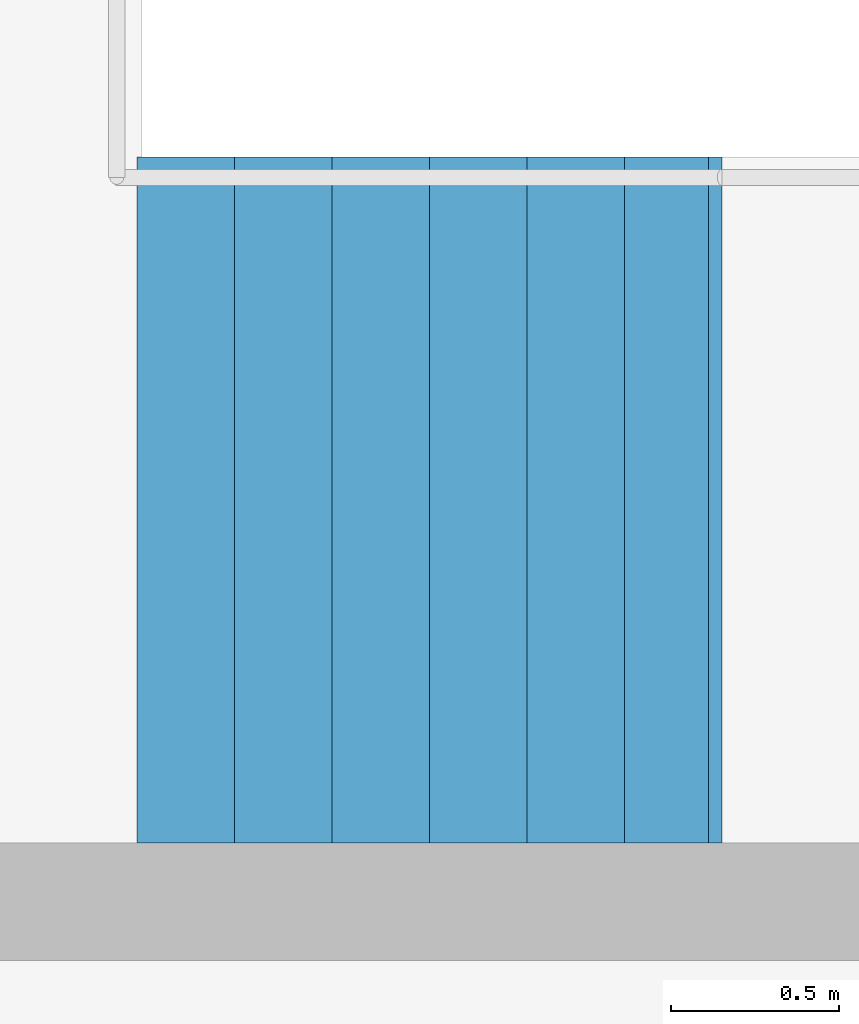
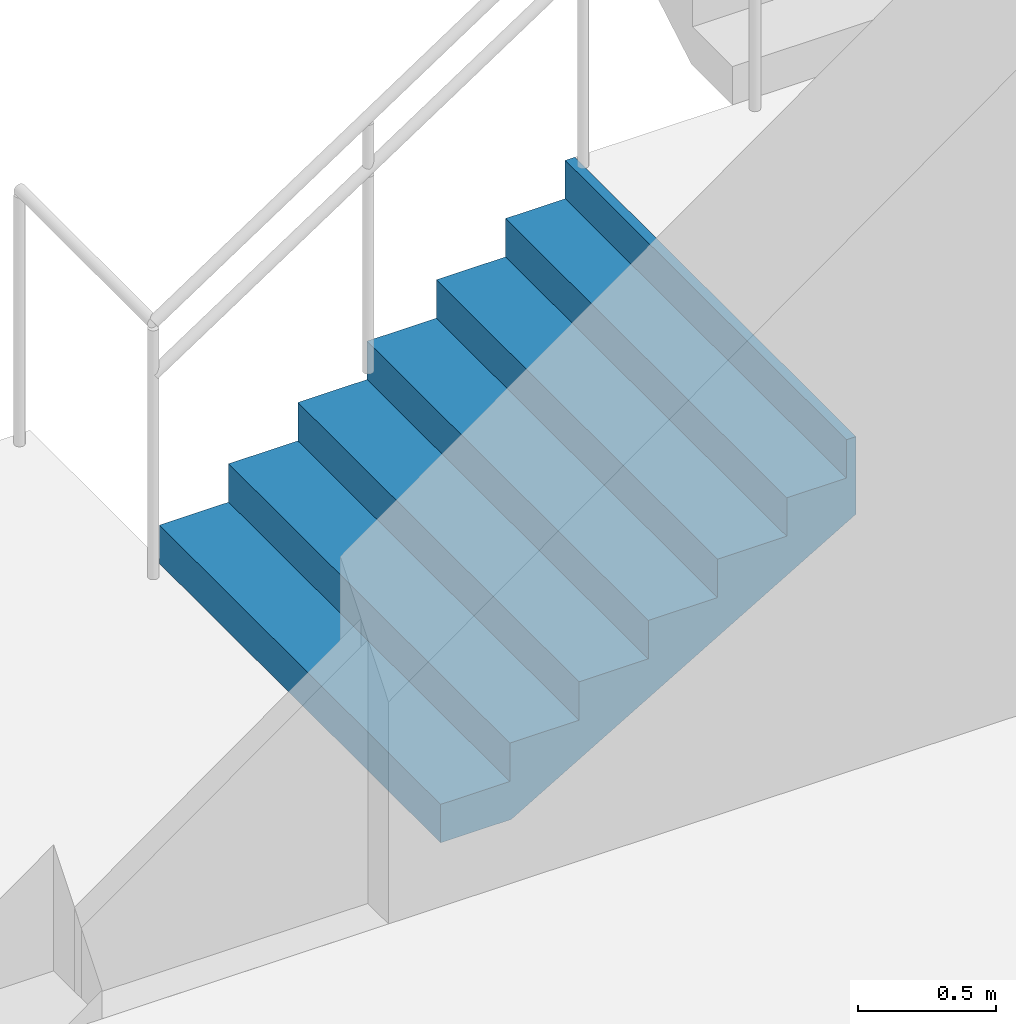
# One storey, part 60 of 69: 1 stair flight, 1 element without a shape of its own.
"""IFC4 building model written with IfcOpenShell, lengths in metres."""

from ifc_helpers import new_model, si_unit, direction, frame, origin, place, context, subcontext, project, spatial, triangles, material, type_object, element, aggregate, save


model = new_model("IFC4")

# Units and contexts
model_context = context("Model", 3, precision=1e-05, world=origin(), true_north=direction((0.0, 1.0)))
body_context = subcontext(model_context, "Body", "Model", "MODEL_VIEW")
ifc_project = project(units=[si_unit("LENGTHUNIT", "METRE"), si_unit("AREAUNIT", "SQUARE_METRE"), si_unit("VOLUMEUNIT", "CUBIC_METRE"), si_unit("PLANEANGLEUNIT", "RADIAN"), si_unit("MASSUNIT", "GRAM", prefix="KILO")], contexts=[model_context])

# Site, building, storey
site_placement = place(None, origin())
site = spatial("IfcSite", under=ifc_project, at=site_placement, CompositionType="ELEMENT")
building_placement = place(site_placement, origin())
building = spatial("IfcBuilding", under=site, at=building_placement, Name="Sillaruma Civic Art Gallery", CompositionType="ELEMENT")
storey_placement = place(building_placement, frame((0.0, 0.0, 42.330078125)))
storey = spatial("IfcBuildingStorey", under=building, at=storey_placement, Name="L08", CompositionType="ELEMENT", Elevation=42.330078125)

# Stair, stair flight
ifc_material = material(Name="Concrete H35 (35 MPa)", Category="concrete")
stair_type = type_object("IfcStairType", Name="STR-4F-27", PredefinedType="USERDEFINED", material=ifc_material)
stair_placement = place(storey_placement, origin())
stair = element("IfcStair", 1, at=stair_placement, inside=storey, type_object=stair_type, Name="Protected Exit Stair ST-02 (West Bar North) (L08)", ObjectType="THREE_RETURN_STAIR", PredefinedType="USERDEFINED")
stair_flight_type = type_object("IfcStairFlightType", Name="SFL-STR-7", PredefinedType="STRAIGHT", material=ifc_material)
stair_flight_placement = place(storey_placement, frame((64.800048828125, 81.929931640625, 0.0), z_axis=(0.0, 0.0, 1.0), x_axis=(1.0, 0.0, 0.0)))
stair_flight = element("IfcStairFlight", 2, at=stair_flight_placement, type_object=stair_flight_type, Name="ST-02 flight 1", NumberOfRisers=7, NumberOfTreads=6, PredefinedType="STRAIGHT", RiserHeight=0.17, TreadLength=0.29, context=body_context, shape_type="Tessellation", body=[
    triangles([(0.0, -1.02001953125, 0.0), (0.29, -1.02001953125, 0.0), (0.296404, -1.02001953125, 0.0), (0.58, -1.02001953125, 0.166246), (0.87, -1.02001953125, 0.336246), (1.16, -1.02001953125, 0.506246), (1.45, -1.02001953125, 0.676246), (1.69999, -1.02001953125, 0.822792), (1.73999, -1.02001953125, 0.84624), (1.73999, -1.02001953125, 1.19), (1.69999, -1.02001953125, 1.19), (1.69999, -1.02001953125, 1.02), (1.45, -1.02001953125, 1.02), (1.45, -1.02001953125, 0.85), (1.16, -1.02001953125, 0.85), (1.16, -1.02001953125, 0.68), (0.87, -1.02001953125, 0.68), (0.87, -1.02001953125, 0.51), (0.58, -1.02001953125, 0.51), (0.58, -1.02001953125, 0.34), (0.296404, -1.02001953125, 0.34), (0.29, -1.02001953125, 0.34), (0.29, -1.02001953125, 0.17), (0.0, -1.02001953125, 0.17), (0.0, -0.05, 0.0), (0.29, -0.05, 0.0), (0.296404, -0.05, 0.0), (0.58, -0.05, 0.166246), (0.87, -0.05, 0.336246), (1.16, -0.05, 0.506246), (1.45, -0.05, 0.676246), (1.69999, -0.05, 0.822792), (1.73999, -0.05, 0.84624), (1.73999, -0.05, 1.19), (1.69999, -0.05, 1.19), (1.69999, -0.05, 1.02), (1.45, -0.05, 1.02), (1.45, -0.05, 0.85), (1.16, -0.05, 0.85), (1.16, -0.05, 0.68), (0.87, -0.05, 0.68), (0.87, -0.05, 0.51), (0.58, -0.05, 0.51), (0.58, -0.05, 0.34), (0.296404, -0.05, 0.34), (0.29, -0.05, 0.34), (0.29, -0.05, 0.17), (0.0, -0.05, 0.17), (0.0, -0.0375, 0.0), (0.29, -0.0375, 0.0), (0.296404, -0.0375, 0.0), (0.58, -0.0375, 0.166246), (0.87, -0.0375, 0.336246), (1.16, -0.0375, 0.506246), (1.45, -0.0375, 0.676246), (1.69999, -0.0375, 0.822792), (1.73999, -0.0375, 0.84624), (1.73999, -0.0375, 1.19), (1.69999, -0.0375, 1.19), (1.69999, -0.0375, 1.02), (1.45, -0.0375, 1.02), (1.45, -0.0375, 0.85), (1.16, -0.0375, 0.85), (1.16, -0.0375, 0.68), (0.87, -0.0375, 0.68), (0.87, -0.0375, 0.51), (0.58, -0.0375, 0.51), (0.58, -0.0375, 0.34), (0.296404, -0.0375, 0.34), (0.29, -0.0375, 0.34), (0.29, -0.0375, 0.17), (0.0, -0.0375, 0.17), (0.0, -0.025, 0.0), (0.29, -0.025, 0.0), (0.296404, -0.025, 0.0), (0.58, -0.025, 0.166246), (0.87, -0.025, 0.336246), (1.16, -0.025, 0.506246), (1.45, -0.025, 0.676246), (1.69999, -0.025, 0.822792), (1.73999, -0.025, 0.84624), (1.73999, -0.025, 1.19), (1.69999, -0.025, 1.19), (1.69999, -0.025, 1.02), (1.45, -0.025, 1.02), (1.45, -0.025, 0.85), (1.16, -0.025, 0.85), (1.16, -0.025, 0.68), (0.87, -0.025, 0.68), (0.87, -0.025, 0.51), (0.58, -0.025, 0.51), (0.58, -0.025, 0.34), (0.296404, -0.025, 0.34), (0.29, -0.025, 0.34), (0.29, -0.025, 0.17), (0.0, -0.025, 0.17), (0.0, -0.0125, 0.0), (0.29, -0.0125, 0.0), (0.296404, -0.0125, 0.0), (0.58, -0.0125, 0.166246), (0.87, -0.0125, 0.336246), (1.16, -0.0125, 0.506246), (1.45, -0.0125, 0.676246), (1.69999, -0.0125, 0.822792), (1.73999, -0.0125, 0.84624), (1.73999, -0.0125, 1.19), (1.69999, -0.0125, 1.19), (1.69999, -0.0125, 1.02), (1.45, -0.0125, 1.02), (1.45, -0.0125, 0.85), (1.16, -0.0125, 0.85), (1.16, -0.0125, 0.68), (0.87, -0.0125, 0.68), (0.87, -0.0125, 0.51), (0.58, -0.0125, 0.51), (0.58, -0.0125, 0.34), (0.296404, -0.0125, 0.34), (0.29, -0.0125, 0.34), (0.29, -0.0125, 0.17), (0.0, -0.0125, 0.17), (0.0, 0.0, 0.0), (0.29, 0.0, 0.0), (0.296404, 0.0, 0.0), (0.58, 0.0, 0.166246), (0.87, 0.0, 0.336246), (1.16, 0.0, 0.506246), (1.45, 0.0, 0.676246), (1.69999, 0.0, 0.822792), (1.73999, 0.0, 0.84624), (1.73999, 0.0, 1.19), (1.69999, 0.0, 1.19), (1.69999, 0.0, 1.02), (1.45, 0.0, 1.02), (1.45, 0.0, 0.85), (1.16, 0.0, 0.85), (1.16, 0.0, 0.68), (0.87, 0.0, 0.68), (0.87, 0.0, 0.51), (0.58, 0.0, 0.51), (0.58, 0.0, 0.34), (0.296404, 0.0, 0.34), (0.29, 0.0, 0.34), (0.29, 0.0, 0.17), (0.0, 0.0, 0.17), (0.0, 0.0125, 0.0), (0.29, 0.0125, 0.0), (0.296404, 0.0125, 0.0), (0.58, 0.0125, 0.166246), (0.87, 0.0125, 0.336246), (1.16, 0.0125, 0.506246), (1.45, 0.0125, 0.676246), (1.69999, 0.0125, 0.822792), (1.73999, 0.0125, 0.84624), (1.73999, 0.0125, 1.19), (1.69999, 0.0125, 1.19), (1.69999, 0.0125, 1.02), (1.45, 0.0125, 1.02), (1.45, 0.0125, 0.85), (1.16, 0.0125, 0.85), (1.16, 0.0125, 0.68), (0.87, 0.0125, 0.68), (0.87, 0.0125, 0.51), (0.58, 0.0125, 0.51), (0.58, 0.0125, 0.34), (0.296404, 0.0125, 0.34), (0.29, 0.0125, 0.34), (0.29, 0.0125, 0.17), (0.0, 0.0125, 0.17), (0.0, 0.025, 0.0), (0.29, 0.025, 0.0), (0.296404, 0.025, 0.0), (0.58, 0.025, 0.166246), (0.87, 0.025, 0.336246), (1.16, 0.025, 0.506246), (1.45, 0.025, 0.676246), (1.69999, 0.025, 0.822792), (1.73999, 0.025, 0.84624), (1.73999, 0.025, 1.19), (1.69999, 0.025, 1.19), (1.69999, 0.025, 1.02), (1.45, 0.025, 1.02), (1.45, 0.025, 0.85), (1.16, 0.025, 0.85), (1.16, 0.025, 0.68), (0.87, 0.025, 0.68), (0.87, 0.025, 0.51), (0.58, 0.025, 0.51), (0.58, 0.025, 0.34), (0.296404, 0.025, 0.34), (0.29, 0.025, 0.34), (0.29, 0.025, 0.17), (0.0, 0.025, 0.17), (0.0, 0.0375, 0.0), (0.29, 0.0375, 0.0), (0.296404, 0.0375, 0.0), (0.58, 0.0375, 0.166246), (0.87, 0.0375, 0.336246), (1.16, 0.0375, 0.506246), (1.45, 0.0375, 0.676246), (1.69999, 0.0375, 0.822792), (1.73999, 0.0375, 0.84624), (1.73999, 0.0375, 1.19), (1.69999, 0.0375, 1.19), (1.69999, 0.0375, 1.02), (1.45, 0.0375, 1.02), (1.45, 0.0375, 0.85), (1.16, 0.0375, 0.85), (1.16, 0.0375, 0.68), (0.87, 0.0375, 0.68), (0.87, 0.0375, 0.51), (0.58, 0.0375, 0.51), (0.58, 0.0375, 0.34), (0.296404, 0.0375, 0.34), (0.29, 0.0375, 0.34), (0.29, 0.0375, 0.17), (0.0, 0.0375, 0.17), (0.0, 0.05, 0.0), (0.29, 0.05, 0.0), (0.296404, 0.05, 0.0), (0.58, 0.05, 0.166246), (0.87, 0.05, 0.336246), (1.16, 0.05, 0.506246), (1.45, 0.05, 0.676246), (1.69999, 0.05, 0.822792), (1.73999, 0.05, 0.84624), (1.73999, 0.05, 1.19), (1.69999, 0.05, 1.19), (1.69999, 0.05, 1.02), (1.45, 0.05, 1.02), (1.45, 0.05, 0.85), (1.16, 0.05, 0.85), (1.16, 0.05, 0.68), (0.87, 0.05, 0.68), (0.87, 0.05, 0.51), (0.58, 0.05, 0.51), (0.58, 0.05, 0.34), (0.296404, 0.05, 0.34), (0.29, 0.05, 0.34), (0.29, 0.05, 0.17), (0.0, 0.05, 0.17), (0.0, 1.02001953125, 0.0), (0.29, 1.02001953125, 0.0), (0.296404, 1.02001953125, 0.0), (0.58, 1.02001953125, 0.166246), (0.87, 1.02001953125, 0.336246), (1.16, 1.02001953125, 0.506246), (1.45, 1.02001953125, 0.676246), (1.69999, 1.02001953125, 0.822792), (1.73999, 1.02001953125, 0.84624), (1.73999, 1.02001953125, 1.19), (1.69999, 1.02001953125, 1.19), (1.69999, 1.02001953125, 1.02), (1.45, 1.02001953125, 1.02), (1.45, 1.02001953125, 0.85), (1.16, 1.02001953125, 0.85), (1.16, 1.02001953125, 0.68), (0.87, 1.02001953125, 0.68), (0.87, 1.02001953125, 0.51), (0.58, 1.02001953125, 0.51), (0.58, 1.02001953125, 0.34), (0.296404, 1.02001953125, 0.34), (0.29, 1.02001953125, 0.34), (0.29, 1.02001953125, 0.17), (0.0, 1.02001953125, 0.17)], [[1, 2, 23], [1, 23, 24], [2, 3, 21], [2, 21, 23], [23, 21, 22], [3, 4, 20], [3, 20, 21], [4, 5, 18], [4, 18, 20], [20, 18, 19], [5, 6, 16], [5, 16, 18], [18, 16, 17], [6, 7, 14], [6, 14, 16], [16, 14, 15], [7, 8, 12], [7, 12, 14], [14, 12, 13], [8, 9, 10], [8, 10, 12], [12, 10, 11], [263, 242, 241], [264, 263, 241], [261, 243, 242], [263, 261, 242], [262, 261, 263], [260, 244, 243], [261, 260, 243], [258, 245, 244], [260, 258, 244], [259, 258, 260], [256, 246, 245], [258, 256, 245], [257, 256, 258], [254, 247, 246], [256, 254, 246], [255, 254, 256], [252, 248, 247], [254, 252, 247], [253, 252, 254], [250, 249, 248], [252, 250, 248], [251, 250, 252], [2, 1, 25], [2, 25, 26], [3, 2, 26], [3, 26, 27], [4, 3, 27], [4, 27, 28], [5, 4, 28], [5, 28, 29], [6, 5, 29], [6, 29, 30], [7, 6, 30], [7, 30, 31], [8, 7, 31], [8, 31, 32], [9, 8, 32], [9, 32, 33], [10, 9, 33], [10, 33, 34], [11, 10, 34], [11, 34, 35], [12, 11, 35], [12, 35, 36], [13, 12, 36], [13, 36, 37], [14, 13, 37], [14, 37, 38], [15, 14, 38], [15, 38, 39], [16, 15, 39], [16, 39, 40], [17, 16, 40], [17, 40, 41], [18, 17, 41], [18, 41, 42], [19, 18, 42], [19, 42, 43], [20, 19, 43], [20, 43, 44], [21, 20, 44], [21, 44, 45], [22, 21, 45], [22, 45, 46], [23, 22, 46], [23, 46, 47], [24, 23, 47], [24, 47, 48], [1, 24, 48], [1, 48, 25], [26, 25, 49], [26, 49, 50], [27, 26, 50], [27, 50, 51], [28, 27, 51], [28, 51, 52], [29, 28, 52], [29, 52, 53], [30, 29, 53], [30, 53, 54], [31, 30, 54], [31, 54, 55], [32, 31, 55], [32, 55, 56], [33, 32, 56], [33, 56, 57], [34, 33, 57], [34, 57, 58], [35, 34, 58], [35, 58, 59], [36, 35, 59], [36, 59, 60], [37, 36, 60], [37, 60, 61], [38, 37, 61], [38, 61, 62], [39, 38, 62], [39, 62, 63], [40, 39, 63], [40, 63, 64], [41, 40, 64], [41, 64, 65], [42, 41, 65], [42, 65, 66], [43, 42, 66], [43, 66, 67], [44, 43, 67], [44, 67, 68], [45, 44, 68], [45, 68, 69], [46, 45, 69], [46, 69, 70], [47, 46, 70], [47, 70, 71], [48, 47, 71], [48, 71, 72], [25, 48, 72], [25, 72, 49], [50, 49, 73], [50, 73, 74], [51, 50, 74], [51, 74, 75], [52, 51, 75], [52, 75, 76], [53, 52, 76], [53, 76, 77], [54, 53, 77], [54, 77, 78], [55, 54, 78], [55, 78, 79], [56, 55, 79], [56, 79, 80], [57, 56, 80], [57, 80, 81], [58, 57, 81], [58, 81, 82], [59, 58, 82], [59, 82, 83], [60, 59, 83], [60, 83, 84], [61, 60, 84], [61, 84, 85], [62, 61, 85], [62, 85, 86], [63, 62, 86], [63, 86, 87], [64, 63, 87], [64, 87, 88], [65, 64, 88], [65, 88, 89], [66, 65, 89], [66, 89, 90], [67, 66, 90], [67, 90, 91], [68, 67, 91], [68, 91, 92], [69, 68, 92], [69, 92, 93], [70, 69, 93], [70, 93, 94], [71, 70, 94], [71, 94, 95], [72, 71, 95], [72, 95, 96], [49, 72, 96], [49, 96, 73], [74, 73, 97], [74, 97, 98], [75, 74, 98], [75, 98, 99], [76, 75, 99], [76, 99, 100], [77, 76, 100], [77, 100, 101], [78, 77, 101], [78, 101, 102], [79, 78, 102], [79, 102, 103], [80, 79, 103], [80, 103, 104], [81, 80, 104], [81, 104, 105], [82, 81, 105], [82, 105, 106], [83, 82, 106], [83, 106, 107], [84, 83, 107], [84, 107, 108], [85, 84, 108], [85, 108, 109], [86, 85, 109], [86, 109, 110], [87, 86, 110], [87, 110, 111], [88, 87, 111], [88, 111, 112], [89, 88, 112], [89, 112, 113], [90, 89, 113], [90, 113, 114], [91, 90, 114], [91, 114, 115], [92, 91, 115], [92, 115, 116], [93, 92, 116], [93, 116, 117], [94, 93, 117], [94, 117, 118], [95, 94, 118], [95, 118, 119], [96, 95, 119], [96, 119, 120], [73, 96, 120], [73, 120, 97], [98, 97, 121], [98, 121, 122], [99, 98, 122], [99, 122, 123], [100, 99, 123], [100, 123, 124], [101, 100, 124], [101, 124, 125], [102, 101, 125], [102, 125, 126], [103, 102, 126], [103, 126, 127], [104, 103, 127], [104, 127, 128], [105, 104, 128], [105, 128, 129], [106, 105, 129], [106, 129, 130], [107, 106, 130], [107, 130, 131], [108, 107, 131], [108, 131, 132], [109, 108, 132], [109, 132, 133], [110, 109, 133], [110, 133, 134], [111, 110, 134], [111, 134, 135], [112, 111, 135], [112, 135, 136], [113, 112, 136], [113, 136, 137], [114, 113, 137], [114, 137, 138], [115, 114, 138], [115, 138, 139], [116, 115, 139], [116, 139, 140], [117, 116, 140], [117, 140, 141], [118, 117, 141], [118, 141, 142], [119, 118, 142], [119, 142, 143], [120, 119, 143], [120, 143, 144], [97, 120, 144], [97, 144, 121], [122, 121, 145], [122, 145, 146], [123, 122, 146], [123, 146, 147], [124, 123, 147], [124, 147, 148], [125, 124, 148], [125, 148, 149], [126, 125, 149], [126, 149, 150], [127, 126, 150], [127, 150, 151], [128, 127, 151], [128, 151, 152], [129, 128, 152], [129, 152, 153], [130, 129, 153], [130, 153, 154], [131, 130, 154], [131, 154, 155], [132, 131, 155], [132, 155, 156], [133, 132, 156], [133, 156, 157], [134, 133, 157], [134, 157, 158], [135, 134, 158], [135, 158, 159], [136, 135, 159], [136, 159, 160], [137, 136, 160], [137, 160, 161], [138, 137, 161], [138, 161, 162], [139, 138, 162], [139, 162, 163], [140, 139, 163], [140, 163, 164], [141, 140, 164], [141, 164, 165], [142, 141, 165], [142, 165, 166], [143, 142, 166], [143, 166, 167], [144, 143, 167], [144, 167, 168], [121, 144, 168], [121, 168, 145], [146, 145, 169], [146, 169, 170], [147, 146, 170], [147, 170, 171], [148, 147, 171], [148, 171, 172], [149, 148, 172], [149, 172, 173], [150, 149, 173], [150, 173, 174], [151, 150, 174], [151, 174, 175], [152, 151, 175], [152, 175, 176], [153, 152, 176], [153, 176, 177], [154, 153, 177], [154, 177, 178], [155, 154, 178], [155, 178, 179], [156, 155, 179], [156, 179, 180], [157, 156, 180], [157, 180, 181], [158, 157, 181], [158, 181, 182], [159, 158, 182], [159, 182, 183], [160, 159, 183], [160, 183, 184], [161, 160, 184], [161, 184, 185], [162, 161, 185], [162, 185, 186], [163, 162, 186], [163, 186, 187], [164, 163, 187], [164, 187, 188], [165, 164, 188], [165, 188, 189], [166, 165, 189], [166, 189, 190], [167, 166, 190], [167, 190, 191], [168, 167, 191], [168, 191, 192], [145, 168, 192], [145, 192, 169], [170, 169, 193], [170, 193, 194], [171, 170, 194], [171, 194, 195], [172, 171, 195], [172, 195, 196], [173, 172, 196], [173, 196, 197], [174, 173, 197], [174, 197, 198], [175, 174, 198], [175, 198, 199], [176, 175, 199], [176, 199, 200], [177, 176, 200], [177, 200, 201], [178, 177, 201], [178, 201, 202], [179, 178, 202], [179, 202, 203], [180, 179, 203], [180, 203, 204], [181, 180, 204], [181, 204, 205], [182, 181, 205], [182, 205, 206], [183, 182, 206], [183, 206, 207], [184, 183, 207], [184, 207, 208], [185, 184, 208], [185, 208, 209], [186, 185, 209], [186, 209, 210], [187, 186, 210], [187, 210, 211], [188, 187, 211], [188, 211, 212], [189, 188, 212], [189, 212, 213], [190, 189, 213], [190, 213, 214], [191, 190, 214], [191, 214, 215], [192, 191, 215], [192, 215, 216], [169, 192, 216], [169, 216, 193], [194, 193, 217], [194, 217, 218], [195, 194, 218], [195, 218, 219], [196, 195, 219], [196, 219, 220], [197, 196, 220], [197, 220, 221], [198, 197, 221], [198, 221, 222], [199, 198, 222], [199, 222, 223], [200, 199, 223], [200, 223, 224], [201, 200, 224], [201, 224, 225], [202, 201, 225], [202, 225, 226], [203, 202, 226], [203, 226, 227], [204, 203, 227], [204, 227, 228], [205, 204, 228], [205, 228, 229], [206, 205, 229], [206, 229, 230], [207, 206, 230], [207, 230, 231], [208, 207, 231], [208, 231, 232], [209, 208, 232], [209, 232, 233], [210, 209, 233], [210, 233, 234], [211, 210, 234], [211, 234, 235], [212, 211, 235], [212, 235, 236], [213, 212, 236], [213, 236, 237], [214, 213, 237], [214, 237, 238], [215, 214, 238], [215, 238, 239], [216, 215, 239], [216, 239, 240], [193, 216, 240], [193, 240, 217], [218, 217, 241], [218, 241, 242], [219, 218, 242], [219, 242, 243], [220, 219, 243], [220, 243, 244], [221, 220, 244], [221, 244, 245], [222, 221, 245], [222, 245, 246], [223, 222, 246], [223, 246, 247], [224, 223, 247], [224, 247, 248], [225, 224, 248], [225, 248, 249], [226, 225, 249], [226, 249, 250], [227, 226, 250], [227, 250, 251], [228, 227, 251], [228, 251, 252], [229, 228, 252], [229, 252, 253], [230, 229, 253], [230, 253, 254], [231, 230, 254], [231, 254, 255], [232, 231, 255], [232, 255, 256], [233, 232, 256], [233, 256, 257], [234, 233, 257], [234, 257, 258], [235, 234, 258], [235, 258, 259], [236, 235, 259], [236, 259, 260], [237, 236, 260], [237, 260, 261], [238, 237, 261], [238, 261, 262], [239, 238, 262], [239, 262, 263], [240, 239, 263], [240, 263, 264], [217, 240, 264], [217, 264, 241]], closed=True),
])
aggregate(stair, [stair_flight])

save(model, "model.ifc")
